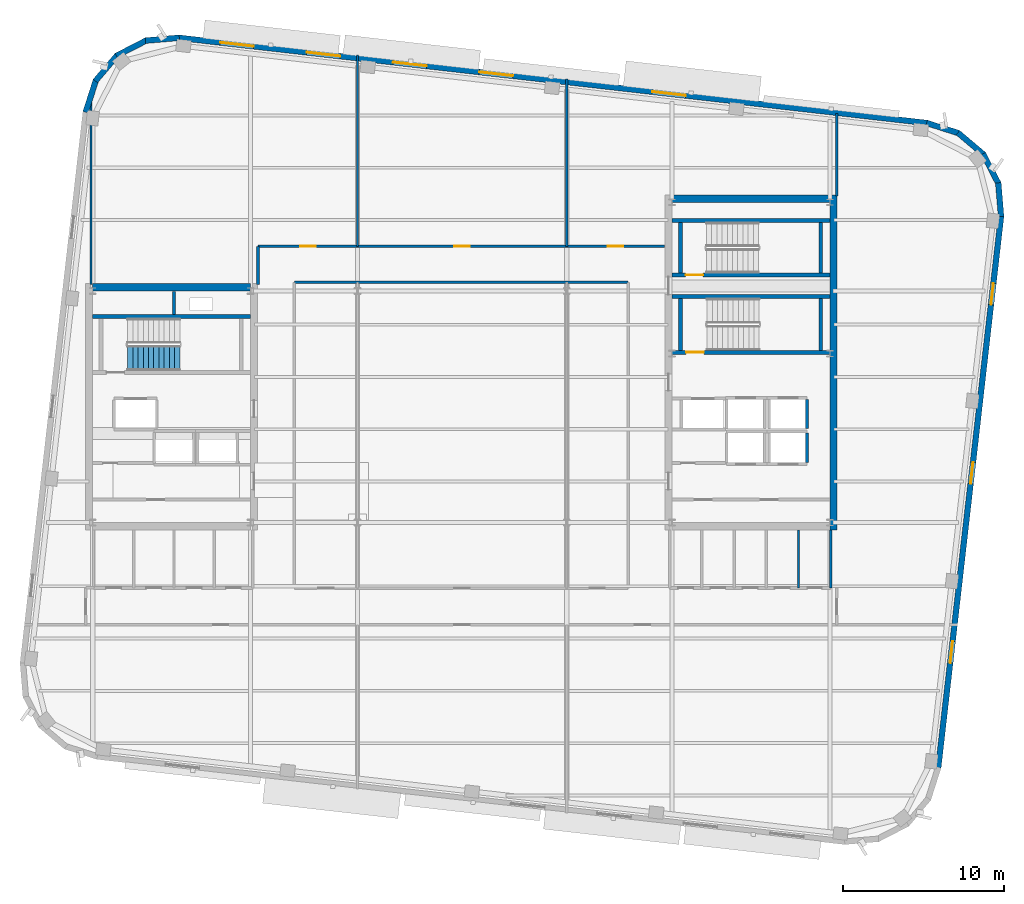
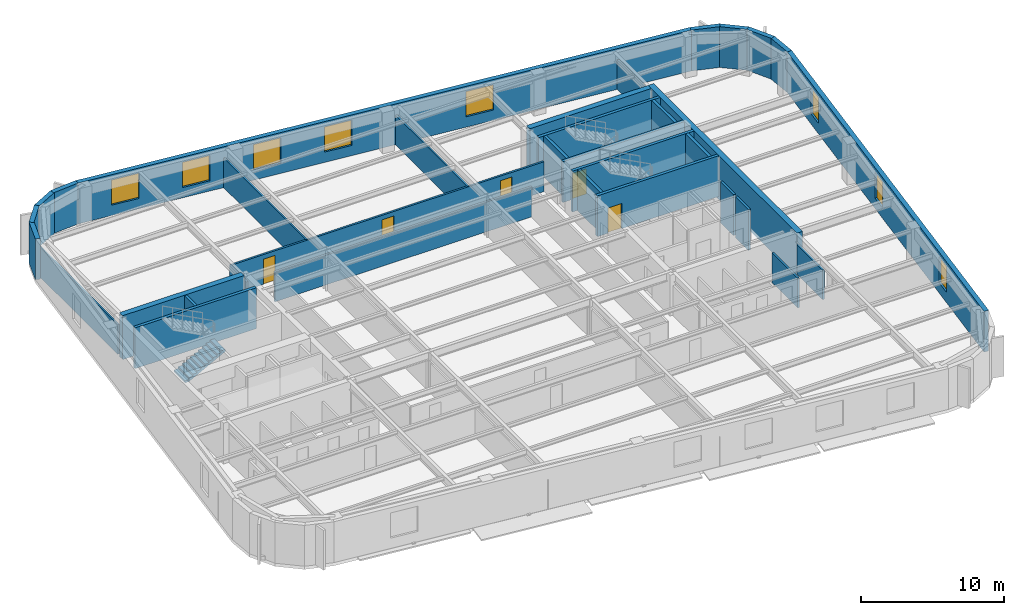
# One storey, part 8 of 14: 34 walls, 8 windows, 5 doors, 1 stair flight, 13 openings, 1 element without a shape of its own.
"""IFC4 building model written with IfcOpenShell, lengths in metres."""

import ifcopenshell
import ifcopenshell.guid

model = None  # the IFC model being written
_history = None  # IfcOwnerHistory: only IFC2X3 demands one
_inside = {}  # id of a spatial element -> (the spatial element, [elements in it])
_under = {}  # id of a project, library or spatial element -> (it, [spatial elements below it])
_declared = {}  # id of a project -> (the project, [libraries it declares])
_typed = {}  # id of a type object -> (the type object, [elements of that type])
_made_of = {}  # id of a material, layer set ... -> (it, [elements and type objects made of it])


def new_model(schema):
    """Start an empty IFC model of exactly this schema.

    Asked for "IFC4X3", IfcOpenShell would pick the latest addendum, in which some entities
    have other attributes; the version numbers below select the first issue.
    IFC2X3 requires an IfcOwnerHistory on every rooted entity: one is made here for all.
    """
    global model, _history
    if schema == "IFC4X3":
        model = ifcopenshell.file(schema_version=(4, 3, 0, 0))
    else:
        model = ifcopenshell.file(schema=schema)
    _inside.clear()
    _under.clear()
    _declared.clear()
    _typed.clear()
    _made_of.clear()
    _history = None
    if model.schema == "IFC2X3":
        org = make("IfcOrganization", Name="unknown")
        user = make(
            "IfcPersonAndOrganization",
            ThePerson=make("IfcPerson", FamilyName="unknown"),
            TheOrganization=org,
        )
        app = make(
            "IfcApplication",
            ApplicationDeveloper=org,
            Version="unknown",
            ApplicationFullName="unknown",
            ApplicationIdentifier="unknown",
        )
        _history = make(
            "IfcOwnerHistory",
            OwningUser=user,
            OwningApplication=app,
            ChangeAction="ADDED",
            CreationDate=0,
        )
    return model


def make(cls, **values):
    """One entity of the class cls with the attributes given. An attribute that is None is left unset."""
    return model.create_entity(
        cls, **{name: value for name, value in values.items() if value is not None}
    )


def rooted(cls, **values):
    """An entity with a GlobalId (a new one), such as an element, a storey or a relation."""
    return make(cls, GlobalId=ifcopenshell.guid.new(), OwnerHistory=_history, **values)


def si_unit(unit_type, name, prefix=None):
    """IfcSIUnit, for example si_unit("LENGTHUNIT", "METRE", prefix="MILLI")."""
    return make("IfcSIUnit", UnitType=unit_type, Prefix=prefix, Name=name)


def assignment(units):
    """IfcUnitAssignment: the units of a project."""
    return None if units is None else make("IfcUnitAssignment", Units=units)


def point(xyz):
    """IfcCartesianPoint."""
    return None if xyz is None else make("IfcCartesianPoint", Coordinates=xyz)


def direction(xyz):
    """IfcDirection."""
    return None if xyz is None else make("IfcDirection", DirectionRatios=xyz)


def frame(location, z_axis=None, x_axis=None):
    """IfcAxis2Placement3D, a coordinate frame: its origin and axes. An axis left out is left unset."""
    return make(
        "IfcAxis2Placement3D",
        Location=point(location),
        Axis=direction(z_axis),
        RefDirection=direction(x_axis),
    )


def frame_2d(location, x_axis=None):
    """IfcAxis2Placement2D, a coordinate frame in the plane: its origin and x axis."""
    return make(
        "IfcAxis2Placement2D", Location=point(location), RefDirection=direction(x_axis)
    )


def origin():
    """The frame at (0, 0, 0) with its axes left unset."""
    return frame((0.0, 0.0, 0.0))


def place(relative_to, where):
    """IfcLocalPlacement: puts the frame where relative to a parent placement (None: the world)."""
    return make(
        "IfcLocalPlacement", PlacementRelTo=relative_to, RelativePlacement=where
    )


def context(
    kind, dimensions, precision=None, world=None, true_north=None, identifier=None
):
    """IfcGeometricRepresentationContext, for example the 3D "Model" context."""
    return make(
        "IfcGeometricRepresentationContext",
        ContextIdentifier=identifier,
        ContextType=kind,
        CoordinateSpaceDimension=dimensions,
        Precision=precision,
        WorldCoordinateSystem=world,
        TrueNorth=true_north,
    )


def subcontext(parent, identifier, kind, view, scale=None):
    """IfcGeometricRepresentationSubContext, for example "Body" below "Model"."""
    return make(
        "IfcGeometricRepresentationSubContext",
        ContextIdentifier=identifier,
        ContextType=kind,
        ParentContext=parent,
        TargetScale=scale,
        TargetView=view,
    )


def project(units=None, contexts=None):
    """IfcProject with its units and contexts."""
    return rooted(
        "IfcProject",
        Name="project",
        RepresentationContexts=contexts,
        UnitsInContext=assignment(units),
    )


def spatial(cls, under=None, at=None, **own):
    """A site, building, storey or space (cls), placed at a placement, below another one or the project."""
    s = rooted(cls, ObjectPlacement=at, **own)
    if under is not None:
        _under.setdefault(under.id(), (under, []))[1].append(s)
    return s


def polyline(points):
    """IfcPolyline through the points."""
    return make("IfcPolyline", Points=[point(p) for p in points])


def profile(cls, at=None, kind="AREA", **sizes):
    """A parametric profile (cls). Its sizes go by their IFC names, for example OverallWidth=200.0."""
    return make(cls, ProfileType=kind, Position=at, **sizes)


def rectangle(**sizes):
    """IfcRectangleProfileDef."""
    return profile("IfcRectangleProfileDef", **sizes)


def outline(outer, holes=None, kind="AREA"):
    """IfcArbitraryClosedProfileDef: a profile drawn as a closed curve; with holes, ...WithVoids."""
    if holes is None:
        return make("IfcArbitraryClosedProfileDef", ProfileType=kind, OuterCurve=outer)
    return make(
        "IfcArbitraryProfileDefWithVoids",
        ProfileType=kind,
        OuterCurve=outer,
        InnerCurves=holes,
    )


def extrude(swept, where, along, depth):
    """IfcExtrudedAreaSolid: the profile swept, set in the frame where, extruded along a direction by depth."""
    return make(
        "IfcExtrudedAreaSolid",
        SweptArea=swept,
        Position=where,
        ExtrudedDirection=direction(along),
        Depth=depth,
    )


def shape(context_of_items, identifier, shape_type, items):
    """IfcShapeRepresentation: the items that make up one representation, for example the "Body"."""
    return make(
        "IfcShapeRepresentation",
        ContextOfItems=context_of_items,
        RepresentationIdentifier=identifier,
        RepresentationType=shape_type,
        Items=items,
    )


def material(Name=None, Category=None):
    """IfcMaterial."""
    return make("IfcMaterial", Name=Name, Category=Category)


def layer(
    of_material, thickness, ventilated=None, Name=None, Category=None, Priority=None
):
    """IfcMaterialLayer: one layer of a wall or slab, of a material (None: an air gap)."""
    return make(
        "IfcMaterialLayer",
        Material=of_material,
        LayerThickness=thickness,
        IsVentilated=ventilated,
        Name=Name,
        Category=Category,
        Priority=Priority,
    )


def layer_set(layers, Name=None):
    """IfcMaterialLayerSet."""
    return make("IfcMaterialLayerSet", MaterialLayers=layers, LayerSetName=Name)


def made_of(thing, what):
    """Note that an element or type object is made of a material, layer set ...; save() writes the relation."""
    if what is not None:
        _made_of.setdefault(what.id(), (what, []))[1].append(thing)
    return thing


def type_object(cls, material=None, **own):
    """A type object (cls), such as IfcWallType, which elements share."""
    return made_of(rooted(cls, **own), material)


def element(
    cls,
    number,
    at=None,
    inside=None,
    cuts=None,
    type_object=None,
    material=None,
    context=None,
    identifier="Body",
    shape_type=None,
    held_by="IfcProductDefinitionShape",
    body=None,
    shapes=None,
    **own,
):
    """One element of the class cls, such as IfcWall. Its Tag is "e" and its number.

    at: its placement. inside: the storey or other place that contains it. cuts: it is an
    opening in that element (IfcRelVoidsElement). A single representation is given by context,
    identifier, shape_type and body (its items); several are given by shapes. held_by: the class
    of the entity that holds the representations. save() writes the other relations.
    """
    e = rooted(cls, Tag="e%d" % number, ObjectPlacement=at, **own)
    if body is not None:
        shapes = [shape(context, identifier, shape_type, body)]
    if shapes is not None:
        e.Representation = make(held_by, Representations=shapes)
    if inside is not None:
        _inside.setdefault(inside.id(), (inside, []))[1].append(e)
    if cuts is not None:
        rooted(
            "IfcRelVoidsElement", RelatingBuildingElement=cuts, RelatedOpeningElement=e
        )
    if type_object is not None:
        _typed.setdefault(type_object.id(), (type_object, []))[1].append(e)
    return made_of(e, material)


def fill(opening, filler):
    """IfcRelFillsElement: the door or window that sits in an opening."""
    return rooted(
        "IfcRelFillsElement",
        RelatingOpeningElement=opening,
        RelatedBuildingElement=filler,
    )


def aggregate(whole, parts):
    """IfcRelAggregates: a whole, such as a stair, and the parts it consists of."""
    return rooted("IfcRelAggregates", RelatingObject=whole, RelatedObjects=parts)


def save(model, path):
    """Write the relations noted so far, then the file.

    IfcRelAggregates (storeys below a building ...), IfcRelContainedInSpatialStructure (elements
    in a storey), IfcRelDefinesByType, IfcRelAssociatesMaterial and IfcRelDeclares: one each for
    every whole, place, type object, material and project.
    """
    for whole, parts in _under.values():
        aggregate(whole, parts)
    for where, things in _inside.values():
        rooted(
            "IfcRelContainedInSpatialStructure",
            RelatedElements=things,
            RelatingStructure=where,
        )
    for kind, things in _typed.values():
        rooted("IfcRelDefinesByType", RelatedObjects=things, RelatingType=kind)
    for what, things in _made_of.values():
        rooted("IfcRelAssociatesMaterial", RelatedObjects=things, RelatingMaterial=what)
    for by, libraries in _declared.values():
        rooted("IfcRelDeclares", RelatingContext=by, RelatedDefinitions=libraries)
    model.write(path)


model = new_model("IFC4")

# Units and contexts
model_context = context("Model", 3, precision=1e-05, world=origin(), true_north=direction((0.0, 1.0)))
body_context = subcontext(model_context, "Body", "Model", "MODEL_VIEW")
ifc_project = project(units=[si_unit("LENGTHUNIT", "METRE"), si_unit("AREAUNIT", "SQUARE_METRE"), si_unit("VOLUMEUNIT", "CUBIC_METRE"), si_unit("PLANEANGLEUNIT", "RADIAN"), si_unit("MASSUNIT", "GRAM", prefix="KILO")], contexts=[model_context])

# Site, building, storey
site_placement = place(None, origin())
site = spatial("IfcSite", under=ifc_project, at=site_placement, CompositionType="ELEMENT")
building_placement = place(site_placement, origin())
building = spatial("IfcBuilding", under=site, at=building_placement, Name="Kolvaren Arena Tower", CompositionType="ELEMENT")
storey_placement = place(building_placement, frame((0.0, 0.0, 235.949951171875)))
storey = spatial("IfcBuildingStorey", under=building, at=storey_placement, Name="L57", CompositionType="ELEMENT", Elevation=235.949951171875)

# Wall
ifc_material_1 = material(Name="Gypsum board acoustic assembly", Category="gypsum")
ifc_layer_1 = layer(ifc_material_1, 0.159912109375)
ifc_layer_set_1 = layer_set([ifc_layer_1], Name="Gypsum board acoustic assembly")
wall_type_1 = type_object("IfcWallType", Name="CORR-160", PredefinedType="PARTITIONING", material=ifc_layer_set_1)
wall_1_placement = place(storey_placement, frame((24.820068359375, 34.25, 0.0), z_axis=(0.0, 0.0, 1.0), x_axis=(0.0, 1.0, 0.0)))
element("IfcWall", 1, at=wall_1_placement, inside=storey, type_object=wall_type_1, Name="Interior Partition Wall (L57)", PredefinedType="PARTITIONING", context=body_context, shape_type="SweptSolid", body=[
    extrude(rectangle(XDim=2.3701171875, YDim=0.159912109375, at=frame_2d((1.18505859375, 0.0))), origin(), (0.0, 0.0, 1.0), 2.5400390625),
])

# Wall, openings, doors
wall_2_placement = place(storey_placement, frame((24.820068359375, 36.6201171875, 0.0), z_axis=(0.0, 0.0, 1.0), x_axis=(1.0, 0.0, 0.0)))
wall_2 = element("IfcWall", 2, at=wall_2_placement, inside=storey, type_object=wall_type_1, Name="Interior Partition Wall (L57)", PredefinedType="PARTITIONING", context=body_context, shape_type="SweptSolid", body=[
    extrude(rectangle(XDim=25.260009765625, YDim=0.159912109375, at=frame_2d((12.6298828125, 0.0))), origin(), (0.0, 0.0, 1.0), 2.5400390625),
])
opening_1_placement = place(wall_2_placement, frame((2.6298828125, 0.0, 0.0)))
opening_1 = element("IfcOpeningElement", 3, at=opening_1_placement, cuts=wall_2, Name="Opening D05", PredefinedType="OPENING", context=body_context, shape_type="SweptSolid", body=[
    extrude(rectangle(XDim=0.949951171875, YDim=2.14990234375, at=frame_2d((0.47509765625, 1.074951171875))), frame((0.0, 0.08984375, 0.0), z_axis=(0.0, -1.0, 0.0), x_axis=(1.0, 0.0, 0.0)), (0.0, 0.0, 1.0), 0.179931640625),
])
opening_2_placement = place(wall_2_placement, frame((12.205078125, 0.0, 0.0)))
opening_2 = element("IfcOpeningElement", 4, at=opening_2_placement, cuts=wall_2, Name="Opening D05", PredefinedType="OPENING", context=body_context, shape_type="SweptSolid", body=[
    extrude(rectangle(XDim=0.949951171875, YDim=2.14990234375, at=frame_2d((0.47509765625, 1.074951171875))), frame((0.0, 0.08984375, 0.0), z_axis=(0.0, -1.0, 0.0), x_axis=(1.0, 0.0, 0.0)), (0.0, 0.0, 1.0), 0.179931640625),
])
opening_3_placement = place(wall_2_placement, frame((21.72998046875, 0.0, 0.0)))
opening_3 = element("IfcOpeningElement", 5, at=opening_3_placement, cuts=wall_2, Name="Opening D05", PredefinedType="OPENING", context=body_context, shape_type="SweptSolid", body=[
    extrude(rectangle(XDim=0.949951171875, YDim=2.14990234375, at=frame_2d((0.47509765625, 1.074951171875))), frame((0.0, 0.08984375, 0.0), z_axis=(0.0, -1.0, 0.0), x_axis=(1.0, 0.0, 0.0)), (0.0, 0.0, 1.0), 0.179931640625),
])
ifc_material_2 = material(Name="Solid-core oak acoustic office door", Category="wood")
door_type_1 = type_object("IfcDoorType", Name="DOOR-OF-095", OperationType="NOTDEFINED", PredefinedType="DOOR", material=ifc_material_2)
door_1_placement = place(opening_1_placement, origin())
door_1 = element("IfcDoor", 6, at=door_1_placement, inside=storey, type_object=door_type_1, Name="Breakout Pantry and Kitchen Door (L57)", OperationType="SINGLE_SWING_RIGHT", OverallHeight=2.14990234375, OverallWidth=0.949951171875, PredefinedType="DOOR", context=body_context, shape_type="SweptSolid", body=[
    extrude(rectangle(XDim=0.949951171875, YDim=2.14990234375, at=frame_2d((0.47509765625, 1.074951171875))), frame((0.0, 0.02490234375, 0.0), z_axis=(0.0, -1.0, 0.0), x_axis=(1.0, 0.0, 0.0)), (0.0, 0.0, 1.0), 0.050048828125),
])
fill(opening_1, door_1)
door_2_placement = place(opening_2_placement, origin())
door_2 = element("IfcDoor", 7, at=door_2_placement, inside=storey, type_object=door_type_1, Name="Corporate Project Office Door (L57)", OperationType="SINGLE_SWING_LEFT", OverallHeight=2.14990234375, OverallWidth=0.949951171875, PredefinedType="DOOR", context=body_context, shape_type="SweptSolid", body=[
    extrude(rectangle(XDim=0.949951171875, YDim=2.14990234375, at=frame_2d((0.47509765625, 1.074951171875))), frame((0.0, 0.02490234375, 0.0), z_axis=(0.0, -1.0, 0.0), x_axis=(1.0, 0.0, 0.0)), (0.0, 0.0, 1.0), 0.050048828125),
])
fill(opening_2, door_2)
door_3_placement = place(opening_3_placement, origin())
door_3 = element("IfcDoor", 8, at=door_3_placement, inside=storey, type_object=door_type_1, Name="Executive Office Door (L57)", OperationType="SINGLE_SWING_RIGHT", OverallHeight=2.14990234375, OverallWidth=0.949951171875, PredefinedType="DOOR", context=body_context, shape_type="SweptSolid", body=[
    extrude(rectangle(XDim=0.949951171875, YDim=2.14990234375, at=frame_2d((0.47509765625, 1.074951171875))), frame((0.0, 0.02490234375, 0.0), z_axis=(0.0, -1.0, 0.0), x_axis=(1.0, 0.0, 0.0)), (0.0, 0.0, 1.0), 0.050048828125),
])
fill(opening_3, door_3)

# Walls
wall_3_placement = place(storey_placement, frame((27.080078125, 34.3798828125, 0.0), z_axis=(0.0, 0.0, 1.0), x_axis=(1.0, 0.0, 0.0)))
element("IfcWall", 9, at=wall_3_placement, inside=storey, type_object=wall_type_1, Name="Interior Partition Wall (L57)", PredefinedType="PARTITIONING", context=body_context, shape_type="SweptSolid", body=[
    extrude(rectangle(XDim=20.739990234375, YDim=0.159912109375, at=frame_2d((10.3701171875, 0.0))), origin(), (0.0, 0.0, 1.0), 2.5400390625),
])
ifc_material_3 = material(Name="Concrete 55 MPa", Category="concrete")
ifc_layer_2 = layer(ifc_material_3, 0.449951171875)
ifc_layer_set_2 = layer_set([ifc_layer_2], Name="Concrete 55 MPa")
wall_type_2 = type_object("IfcWallType", Name="CWALL-450", PredefinedType="SHEAR", material=ifc_layer_set_2)
wall_4_placement = place(storey_placement, frame((14.550048828125, 34.074951171875, -0.27001953125), z_axis=(0.0, 0.0, 1.0), x_axis=(1.0, 0.0, 0.0)))
element("IfcWall", 10, at=wall_4_placement, inside=storey, type_object=wall_type_2, Name="Core Shear Wall WC-NORTH (L57)", PredefinedType="SHEAR", context=body_context, shape_type="SweptSolid", body=[
    extrude(rectangle(XDim=9.800048828125, YDim=0.449951171875, at=frame_2d((4.89990234375, 0.0))), origin(), (0.0, 0.0, 1.0), 3.75),
])
wall_5_placement = place(storey_placement, frame((60.574951171875, 19.0, -0.27001953125), z_axis=(0.0, 0.0, 1.0), x_axis=(0.0, 1.0, 0.0)))
element("IfcWall", 11, at=wall_5_placement, inside=storey, type_object=wall_type_2, Name="Core Shear Wall EC-EAST (L57)", PredefinedType="SHEAR", context=body_context, shape_type="SweptSolid", body=[
    extrude(rectangle(XDim=20.800048828125, YDim=0.449951171875, at=frame_2d((10.39990234375, 0.0))), origin(), (0.0, 0.0, 1.0), 3.75),
])
wall_6_placement = place(storey_placement, frame((50.550048828125, 39.574951171875, -0.27001953125), z_axis=(0.0, 0.0, 1.0), x_axis=(1.0, 0.0, 0.0)))
element("IfcWall", 12, at=wall_6_placement, inside=storey, type_object=wall_type_2, Name="Core Shear Wall EC-NORTH (L57)", PredefinedType="SHEAR", context=body_context, shape_type="SweptSolid", body=[
    extrude(rectangle(XDim=9.800048828125, YDim=0.449951171875, at=frame_2d((4.89990234375, 0.0))), origin(), (0.0, 0.0, 1.0), 3.75),
])

# Wall, openings, windows
ifc_material_4 = material(Name="Precast concrete C50/60", Category="concrete")
ifc_layer_3 = layer(ifc_material_4, 0.360107421875)
ifc_layer_set_3 = layer_set([ifc_layer_3], Name="Precast concrete C50/60")
wall_type_3 = type_object("IfcWallType", Name="EXT-PIER2", PredefinedType="SOLIDWALL", material=ifc_layer_set_3)
wall_7_placement = place(storey_placement, frame((70.98876953125, 38.499267578125, 0.0), z_axis=(0.0, 0.0, 1.0), x_axis=(-0.113203107947, -0.993571867733, 0.0)))
wall_7 = element("IfcWall", 13, at=wall_7_placement, inside=storey, type_object=wall_type_3, Name="Exterior Precast Masonry-Frame Wall (L57)", PredefinedType="SOLIDWALL", context=body_context, shape_type="SweptSolid", body=[
    extrude(rectangle(XDim=34.5, YDim=0.360107421875, at=frame_2d((17.25, 0.0))), origin(), (0.0, 0.0, 1.0), 3.47998046875),
])
opening_4_placement = place(wall_7_placement, frame((4.199951171875, 0.0, 0.8798828125)))
opening_4 = element("IfcOpeningElement", 14, at=opening_4_placement, cuts=wall_7, Name="Opening W04", PredefinedType="OPENING", context=body_context, shape_type="SweptSolid", body=[
    extrude(rectangle(XDim=1.35009765625, YDim=2.199951171875, at=frame_2d((0.675048828125, 1.10009765625))), frame((0.0, 0.18994140625, 0.0), z_axis=(0.0, -1.0, 0.0), x_axis=(1.0, 0.0, 0.0)), (0.0, 0.0, 1.0), 0.380126953125),
])
opening_5_placement = place(wall_7_placement, frame((15.39990234375, 0.0, 0.8798828125)))
opening_5 = element("IfcOpeningElement", 15, at=opening_5_placement, cuts=wall_7, Name="Opening W04", PredefinedType="OPENING", context=body_context, shape_type="SweptSolid", body=[
    extrude(rectangle(XDim=1.35009765625, YDim=2.199951171875, at=frame_2d((0.675048828125, 1.10009765625))), frame((0.0, 0.18994140625, 0.0), z_axis=(0.0, -1.0, 0.0), x_axis=(1.0, 0.0, 0.0)), (0.0, 0.0, 1.0), 0.380126953125),
])
opening_6_placement = place(wall_7_placement, frame((26.60009765625, 0.0, 0.8798828125)))
opening_6 = element("IfcOpeningElement", 16, at=opening_6_placement, cuts=wall_7, Name="Opening W04", PredefinedType="OPENING", context=body_context, shape_type="SweptSolid", body=[
    extrude(rectangle(XDim=1.35009765625, YDim=2.199951171875, at=frame_2d((0.675048828125, 1.10009765625))), frame((0.0, 0.18994140625, 0.0), z_axis=(0.0, -1.0, 0.0), x_axis=(1.0, 0.0, 0.0)), (0.0, 0.0, 1.0), 0.380126953125),
])
ifc_material_5 = material(Name="Triple-glazed curved-facet corner window", Category="glass")
window_type_1 = type_object("IfcWindowType", Name="WIN-CRN-A", PartitioningType="SINGLE_PANEL", PredefinedType="WINDOW", material=ifc_material_5)
window_1_placement = place(opening_4_placement, origin())
window_1 = element("IfcWindow", 17, at=window_1_placement, inside=storey, type_object=window_type_1, Name="End-Wall Punched Window (L57)", OverallHeight=2.199951171875, OverallWidth=1.35009765625, PartitioningType="SINGLE_PANEL", PredefinedType="WINDOW", context=body_context, shape_type="SweptSolid", body=[
    extrude(rectangle(XDim=1.35009765625, YDim=2.199951171875, at=frame_2d((0.675048828125, 1.10009765625))), frame((0.0, 0.030029296875, 0.0), z_axis=(0.0, -1.0, 0.0), x_axis=(1.0, 0.0, 0.0)), (0.0, 0.0, 1.0), 0.06005859375),
])
fill(opening_4, window_1)
window_2_placement = place(opening_5_placement, origin())
window_2 = element("IfcWindow", 18, at=window_2_placement, inside=storey, type_object=window_type_1, Name="End-Wall Punched Window (L57)", OverallHeight=2.199951171875, OverallWidth=1.35009765625, PartitioningType="SINGLE_PANEL", PredefinedType="WINDOW", context=body_context, shape_type="SweptSolid", body=[
    extrude(rectangle(XDim=1.35009765625, YDim=2.199951171875, at=frame_2d((0.675048828125, 1.10009765625))), frame((0.0, 0.030029296875, 0.0), z_axis=(0.0, -1.0, 0.0), x_axis=(1.0, 0.0, 0.0)), (0.0, 0.0, 1.0), 0.06005859375),
])
fill(opening_5, window_2)
window_3_placement = place(opening_6_placement, origin())
window_3 = element("IfcWindow", 19, at=window_3_placement, inside=storey, type_object=window_type_1, Name="End-Wall Punched Window (L57)", OverallHeight=2.199951171875, OverallWidth=1.35009765625, PartitioningType="SINGLE_PANEL", PredefinedType="WINDOW", context=body_context, shape_type="SweptSolid", body=[
    extrude(rectangle(XDim=1.35009765625, YDim=2.199951171875, at=frame_2d((0.675048828125, 1.10009765625))), frame((0.0, 0.030029296875, 0.0), z_axis=(0.0, -1.0, 0.0), x_axis=(1.0, 0.0, 0.0)), (0.0, 0.0, 1.0), 0.06005859375),
])
fill(opening_6, window_3)

# Walls
wall_8_placement = place(storey_placement, frame((70.813720703125, 40.563720703125, 0.0), z_axis=(0.0, 0.0, 1.0), x_axis=(0.082853678144, -0.996561723135, 0.0)))
element("IfcWall", 20, at=wall_8_placement, inside=storey, type_object=wall_type_3, Name="Exterior Precast Masonry-Frame Wall (L57)", PredefinedType="SOLIDWALL", context=body_context, shape_type="SweptSolid", body=[
    extrude(rectangle(XDim=2.10693359375, YDim=0.360107421875, at=frame_2d((1.053466796875, 0.0))), origin(), (0.0, 0.0, 1.0), 3.47998046875),
])
for number, where, z_axis, x_axis, name in (
    (21, (69.868408203125, 42.369384765625, 0.0), (0.0, 0.0, 1.0), (0.457887222333, -0.889010287693, 0.0), "Exterior Precast Masonry-Frame Wall (L57)"),
    (22, (68.303955078125, 43.67578125, 0.0), (0.0, 0.0, 1.0), (0.763192878975, -0.646170743289, 0.0), "Exterior Precast Masonry-Frame Wall (L57)"),
    (23, (66.358642578125, 44.283935546875, 0.0), (0.0, 0.0, 1.0), (0.952403965565, -0.304838787518, 0.0), "Exterior Precast Masonry-Frame Wall (L57)"),
):
    element("IfcWall", number, at=place(storey_placement, frame(where, z_axis=z_axis, x_axis=x_axis)), inside=storey, type_object=wall_type_3, Name=name, PredefinedType="SOLIDWALL", context=body_context, shape_type="SweptSolid", body=[
        extrude(rectangle(XDim=2.107177734375, YDim=0.360107421875, at=frame_2d((1.0537109375, 0.0))), origin(), (0.0, 0.0, 1.0), 3.47998046875),
    ])

# Wall, openings, windows
wall_9_placement = place(storey_placement, frame((19.89404296875, 49.57470703125, 0.0), z_axis=(0.0, 0.0, 1.0), x_axis=(0.993571439016, -0.113206870688, 0.0)))
wall_9 = element("IfcWall", 24, at=wall_9_placement, inside=storey, type_object=wall_type_3, Name="Exterior Precast Masonry-Frame Wall (L57)", PredefinedType="SOLIDWALL", context=body_context, shape_type="SweptSolid", body=[
    extrude(rectangle(XDim=46.800048828125, YDim=0.360107421875, at=frame_2d((23.39990234375, 0.0))), origin(), (0.0, 0.0, 1.0), 3.47998046875),
])
opening_7_placement = place(wall_9_placement, frame((2.60009765625, 0.0, 0.8798828125)))
opening_7 = element("IfcOpeningElement", 25, at=opening_7_placement, cuts=wall_9, Name="Opening W01", PredefinedType="OPENING", context=body_context, shape_type="SweptSolid", body=[
    extrude(rectangle(XDim=2.10009765625, YDim=2.14990234375, at=frame_2d((1.050048828125, 1.074951171875))), frame((0.0, 0.18994140625, 0.0), z_axis=(0.0, -1.0, 0.0), x_axis=(1.0, 0.0, 0.0)), (0.0, 0.0, 1.0), 0.380126953125),
])
opening_8_placement = place(wall_9_placement, frame((8.0, 0.0, 0.8798828125)))
opening_8 = element("IfcOpeningElement", 26, at=opening_8_placement, cuts=wall_9, Name="Opening W01", PredefinedType="OPENING", context=body_context, shape_type="SweptSolid", body=[
    extrude(rectangle(XDim=2.10009765625, YDim=2.14990234375, at=frame_2d((1.050048828125, 1.074951171875))), frame((0.0, 0.18994140625, 0.0), z_axis=(0.0, -1.0, 0.0), x_axis=(1.0, 0.0, 0.0)), (0.0, 0.0, 1.0), 0.380126953125),
])
opening_9_placement = place(wall_9_placement, frame((13.39990234375, 0.0, 0.8798828125)))
opening_9 = element("IfcOpeningElement", 27, at=opening_9_placement, cuts=wall_9, Name="Opening W01", PredefinedType="OPENING", context=body_context, shape_type="SweptSolid", body=[
    extrude(rectangle(XDim=2.10009765625, YDim=2.14990234375, at=frame_2d((1.050048828125, 1.074951171875))), frame((0.0, 0.18994140625, 0.0), z_axis=(0.0, -1.0, 0.0), x_axis=(1.0, 0.0, 0.0)), (0.0, 0.0, 1.0), 0.380126953125),
])
opening_10_placement = place(wall_9_placement, frame((18.800048828125, 0.0, 0.8798828125)))
opening_10 = element("IfcOpeningElement", 28, at=opening_10_placement, cuts=wall_9, Name="Opening W01", PredefinedType="OPENING", context=body_context, shape_type="SweptSolid", body=[
    extrude(rectangle(XDim=2.10009765625, YDim=2.14990234375, at=frame_2d((1.050048828125, 1.074951171875))), frame((0.0, 0.18994140625, 0.0), z_axis=(0.0, -1.0, 0.0), x_axis=(1.0, 0.0, 0.0)), (0.0, 0.0, 1.0), 0.380126953125),
])
opening_11_placement = place(wall_9_placement, frame((29.60009765625, 0.0, 0.8798828125)))
opening_11 = element("IfcOpeningElement", 29, at=opening_11_placement, cuts=wall_9, Name="Opening W01", PredefinedType="OPENING", context=body_context, shape_type="SweptSolid", body=[
    extrude(rectangle(XDim=2.10009765625, YDim=2.14990234375, at=frame_2d((1.050048828125, 1.074951171875))), frame((0.0, 0.18994140625, 0.0), z_axis=(0.0, -1.0, 0.0), x_axis=(1.0, 0.0, 0.0)), (0.0, 0.0, 1.0), 0.380126953125),
])
ifc_material_6 = material(Name="Triple-glazed low-E aluminium window", Category="aluminium")
window_type_2 = type_object("IfcWindowType", Name="WIN-OFF-A", PartitioningType="DOUBLE_PANEL_VERTICAL", PredefinedType="WINDOW", material=ifc_material_6)
window_4_placement = place(opening_7_placement, origin())
window_4 = element("IfcWindow", 30, at=window_4_placement, inside=storey, type_object=window_type_2, Name="Punched Precast-Pier Window (L57)", OverallHeight=2.14990234375, OverallWidth=2.10009765625, PartitioningType="DOUBLE_PANEL_VERTICAL", PredefinedType="WINDOW", context=body_context, shape_type="SweptSolid", body=[
    extrude(rectangle(XDim=2.10009765625, YDim=2.14990234375, at=frame_2d((1.050048828125, 1.074951171875))), frame((0.0, 0.030029296875, 0.0), z_axis=(0.0, -1.0, 0.0), x_axis=(1.0, 0.0, 0.0)), (0.0, 0.0, 1.0), 0.06005859375),
])
fill(opening_7, window_4)
window_5_placement = place(opening_8_placement, origin())
window_5 = element("IfcWindow", 31, at=window_5_placement, inside=storey, type_object=window_type_2, Name="Punched Precast-Pier Window (L57)", OverallHeight=2.14990234375, OverallWidth=2.10009765625, PartitioningType="DOUBLE_PANEL_VERTICAL", PredefinedType="WINDOW", context=body_context, shape_type="SweptSolid", body=[
    extrude(rectangle(XDim=2.10009765625, YDim=2.14990234375, at=frame_2d((1.050048828125, 1.074951171875))), frame((0.0, 0.030029296875, 0.0), z_axis=(0.0, -1.0, 0.0), x_axis=(1.0, 0.0, 0.0)), (0.0, 0.0, 1.0), 0.06005859375),
])
fill(opening_8, window_5)
window_6_placement = place(opening_9_placement, origin())
window_6 = element("IfcWindow", 32, at=window_6_placement, inside=storey, type_object=window_type_2, Name="Punched Precast-Pier Window (L57)", OverallHeight=2.14990234375, OverallWidth=2.10009765625, PartitioningType="DOUBLE_PANEL_VERTICAL", PredefinedType="WINDOW", context=body_context, shape_type="SweptSolid", body=[
    extrude(rectangle(XDim=2.10009765625, YDim=2.14990234375, at=frame_2d((1.050048828125, 1.074951171875))), frame((0.0, 0.030029296875, 0.0), z_axis=(0.0, -1.0, 0.0), x_axis=(1.0, 0.0, 0.0)), (0.0, 0.0, 1.0), 0.06005859375),
])
fill(opening_9, window_6)
window_7_placement = place(opening_10_placement, origin())
window_7 = element("IfcWindow", 33, at=window_7_placement, inside=storey, type_object=window_type_2, Name="Punched Precast-Pier Window (L57)", OverallHeight=2.14990234375, OverallWidth=2.10009765625, PartitioningType="DOUBLE_PANEL_VERTICAL", PredefinedType="WINDOW", context=body_context, shape_type="SweptSolid", body=[
    extrude(rectangle(XDim=2.10009765625, YDim=2.14990234375, at=frame_2d((1.050048828125, 1.074951171875))), frame((0.0, 0.030029296875, 0.0), z_axis=(0.0, -1.0, 0.0), x_axis=(1.0, 0.0, 0.0)), (0.0, 0.0, 1.0), 0.06005859375),
])
fill(opening_10, window_7)
window_8_placement = place(opening_11_placement, origin())
window_8 = element("IfcWindow", 34, at=window_8_placement, inside=storey, type_object=window_type_2, Name="Punched Precast-Pier Window (L57)", OverallHeight=2.14990234375, OverallWidth=2.10009765625, PartitioningType="DOUBLE_PANEL_VERTICAL", PredefinedType="WINDOW", context=body_context, shape_type="SweptSolid", body=[
    extrude(rectangle(XDim=2.10009765625, YDim=2.14990234375, at=frame_2d((1.050048828125, 1.074951171875))), frame((0.0, 0.030029296875, 0.0), z_axis=(0.0, -1.0, 0.0), x_axis=(1.0, 0.0, 0.0)), (0.0, 0.0, 1.0), 0.06005859375),
])
fill(opening_11, window_8)

# Walls
for number, where, z_axis, x_axis, name in (
    (35, (17.82958984375, 49.3994140625, 0.0), (0.0, 0.0, 1.0), (0.996562518477, 0.082844111233, 0.0), "Exterior Precast Masonry-Frame Wall (L57)"),
    (36, (16.02392578125, 48.4541015625, 0.0), (0.0, 0.0, 1.0), (0.889010287693, 0.457887222333, 0.0), "Exterior Precast Masonry-Frame Wall (L57)"),
    (37, (14.717529296875, 46.8896484375, 0.0), (0.0, 0.0, 1.0), (0.646170743289, 0.763192878975, 0.0), "Exterior Precast Masonry-Frame Wall (L57)"),
):
    element("IfcWall", number, at=place(storey_placement, frame(where, z_axis=z_axis, x_axis=x_axis)), inside=storey, type_object=wall_type_3, Name=name, PredefinedType="SOLIDWALL", context=body_context, shape_type="SweptSolid", body=[
        extrude(rectangle(XDim=2.107177734375, YDim=0.360107421875, at=frame_2d((1.0537109375, 0.0))), origin(), (0.0, 0.0, 1.0), 3.47998046875),
    ])
wall_10_placement = place(storey_placement, frame((14.109375, 44.944580078125, 0.0), z_axis=(0.0, 0.0, 1.0), x_axis=(0.304872429864, 0.952393196904, 0.0)))
element("IfcWall", 38, at=wall_10_placement, inside=storey, type_object=wall_type_3, Name="Exterior Precast Masonry-Frame Wall (L57)", PredefinedType="SOLIDWALL", context=body_context, shape_type="SweptSolid", body=[
    extrude(rectangle(XDim=2.10693359375, YDim=0.360107421875, at=frame_2d((1.053466796875, 0.0))), origin(), (0.0, 0.0, 1.0), 3.47998046875),
])
ifc_material_7 = material(Name="Gypsum board partition assembly", Category="gypsum")
ifc_layer_4 = layer(ifc_material_7, 0.135009765625)
ifc_layer_set_4 = layer_set([ifc_layer_4], Name="Gypsum board partition assembly")
wall_type_4 = type_object("IfcWallType", Name="PART-135", PredefinedType="PARTITIONING", material=ifc_layer_set_4)
wall_11_placement = place(storey_placement, frame((31.0, 36.6201171875, 0.0), z_axis=(0.0, 0.0, 1.0), x_axis=(0.0, 1.0, 0.0)))
element("IfcWall", 39, at=wall_11_placement, inside=storey, type_object=wall_type_4, Name="Interior Partition Wall (L57)", PredefinedType="PARTITIONING", context=body_context, shape_type="SweptSolid", body=[
    extrude(rectangle(XDim=11.8701171875, YDim=0.135009765625, at=frame_2d((5.93505859375, 0.0))), origin(), (0.0, 0.0, 1.0), 2.5400390625),
])
wall_12_placement = place(storey_placement, frame((44.0, 36.6201171875, 0.0), z_axis=(0.0, 0.0, 1.0), x_axis=(0.0, 1.0, 0.0)))
element("IfcWall", 40, at=wall_12_placement, inside=storey, type_object=wall_type_4, Name="Interior Partition Wall (L57)", PredefinedType="PARTITIONING", context=body_context, shape_type="SweptSolid", body=[
    extrude(rectangle(XDim=10.38916015625, YDim=0.135009765625, at=frame_2d((5.194580078125, 0.0))), origin(), (0.0, 0.0, 1.0), 2.5400390625),
])
wall_13_placement = place(storey_placement, frame((14.449951171875, 34.25, 0.0), z_axis=(0.0, 0.0, 1.0), x_axis=(0.0, 1.0, 0.0)))
element("IfcWall", 41, at=wall_13_placement, inside=storey, type_object=wall_type_4, Name="Interior Partition Wall (L57)", PredefinedType="PARTITIONING", context=body_context, shape_type="SweptSolid", body=[
    extrude(rectangle(XDim=11.56201171875, YDim=0.135009765625, at=frame_2d((5.781005859375, 0.0))), origin(), (0.0, 0.0, 1.0), 2.5400390625),
])
wall_14_placement = place(storey_placement, frame((60.780029296875, 39.75, 0.0), z_axis=(0.0, 0.0, 1.0), x_axis=(0.0, 1.0, 0.0)))
element("IfcWall", 42, at=wall_14_placement, inside=storey, type_object=wall_type_4, Name="Interior Partition Wall (L57)", PredefinedType="PARTITIONING", context=body_context, shape_type="SweptSolid", body=[
    extrude(rectangle(XDim=5.105712890625, YDim=0.135009765625, at=frame_2d((2.552734375, 0.0))), origin(), (0.0, 0.0, 1.0), 2.5400390625),
])
ifc_material_8 = material(Name="Concrete 45 MPa", Category="concrete")
ifc_layer_5 = layer(ifc_material_8, 0.25)
ifc_layer_set_5 = layer_set([ifc_layer_5], Name="Concrete 45 MPa")
wall_type_5 = type_object("IfcWallType", Name="SHAFT-250", PredefinedType="SOLIDWALL", material=ifc_layer_set_5)
wall_15_placement = place(storey_placement, frame((14.550048828125, 32.25, 0.0), z_axis=(0.0, 0.0, 1.0), x_axis=(1.0, 0.0, 0.0)))
element("IfcWall", 43, at=wall_15_placement, inside=storey, type_object=wall_type_5, Name="Core Shaft Wall (L57)", PredefinedType="SOLIDWALL", context=body_context, shape_type="SweptSolid", body=[
    extrude(rectangle(XDim=9.800048828125, YDim=0.239990234375, at=frame_2d((4.89990234375, 0.0))), origin(), (0.0, 0.0, 1.0), 3.47998046875),
])

# Wall, opening, door
wall_16_placement = place(storey_placement, frame((60.35009765625, 30.030029296875, 0.0), z_axis=(0.0, 0.0, 1.0), x_axis=(-1.0, 0.0, 0.0)))
wall_16 = element("IfcWall", 44, at=wall_16_placement, inside=storey, type_object=wall_type_5, Name="Core Shaft Wall (L57)", PredefinedType="SOLIDWALL", context=body_context, shape_type="SweptSolid", body=[
    extrude(rectangle(XDim=9.800048828125, YDim=0.239990234375, at=frame_2d((4.89990234375, 0.0))), origin(), (0.0, 0.0, 1.0), 3.47998046875),
])
opening_12_placement = place(wall_16_placement, frame((7.830078125, 0.0, 0.0)))
opening_12 = element("IfcOpeningElement", 45, at=opening_12_placement, cuts=wall_16, Name="Opening D03", PredefinedType="OPENING", context=body_context, shape_type="SweptSolid", body=[
    extrude(rectangle(XDim=1.10009765625, YDim=2.14990234375, at=frame_2d((0.550048828125, 1.074951171875))), frame((0.0, 0.1298828125, 0.0), z_axis=(0.0, -1.0, 0.0), x_axis=(1.0, 0.0, 0.0)), (0.0, 0.0, 1.0), 0.260009765625),
])
ifc_material_9 = material(Name="Fire-rated steel exit stair door", Category="steel")
door_type_2 = type_object("IfcDoorType", Name="DOOR-ST-110", OperationType="NOTDEFINED", PredefinedType="DOOR", material=ifc_material_9)
door_4_placement = place(opening_12_placement, origin())
door_4 = element("IfcDoor", 46, at=door_4_placement, inside=storey, type_object=door_type_2, Name="Stair ST-E1 Fire Door (L57)", OperationType="SINGLE_SWING_LEFT", OverallHeight=2.14990234375, OverallWidth=1.10009765625, PredefinedType="DOOR", context=body_context, shape_type="SweptSolid", body=[
    extrude(rectangle(XDim=1.10009765625, YDim=2.14990234375, at=frame_2d((0.550048828125, 1.074951171875))), frame((0.0, 0.02490234375, 0.0), z_axis=(0.0, -1.0, 0.0), x_axis=(1.0, 0.0, 0.0)), (0.0, 0.0, 1.0), 0.050048828125),
])
fill(opening_12, door_4)

# Walls
wall_17_placement = place(storey_placement, frame((50.550048828125, 33.5, 0.0), z_axis=(0.0, 0.0, 1.0), x_axis=(1.0, 0.0, 0.0)))
element("IfcWall", 47, at=wall_17_placement, inside=storey, type_object=wall_type_5, Name="Core Shaft Wall (L57)", PredefinedType="SOLIDWALL", context=body_context, shape_type="SweptSolid", body=[
    extrude(rectangle(XDim=9.800048828125, YDim=0.239990234375, at=frame_2d((4.89990234375, 0.0))), origin(), (0.0, 0.0, 1.0), 3.47998046875),
])
for number, where, z_axis, x_axis, name in (
    (48, (51.06005859375, 30.14990234375, 0.0), (0.0, 0.0, 1.0), (0.0, 1.0, 0.0), "Core Shaft Wall (L57)"),
    (49, (59.780029296875, 30.14990234375, 0.0), (0.0, 0.0, 1.0), (0.0, 1.0, 0.0), "Core Shaft Wall (L57)"),
):
    element("IfcWall", number, at=place(storey_placement, frame(where, z_axis=z_axis, x_axis=x_axis)), inside=storey, type_object=wall_type_5, Name=name, PredefinedType="SOLIDWALL", context=body_context, shape_type="SweptSolid", body=[
        extrude(rectangle(XDim=3.22998046875, YDim=0.239990234375, at=frame_2d((1.614990234375, 0.0))), origin(), (0.0, 0.0, 1.0), 3.47998046875),
    ])

# Wall, opening, door
wall_18_placement = place(storey_placement, frame((60.35009765625, 34.830078125, 0.0), z_axis=(0.0, 0.0, 1.0), x_axis=(-1.0, 0.0, 0.0)))
wall_18 = element("IfcWall", 50, at=wall_18_placement, inside=storey, type_object=wall_type_5, Name="Core Shaft Wall (L57)", PredefinedType="SOLIDWALL", context=body_context, shape_type="SweptSolid", body=[
    extrude(rectangle(XDim=9.800048828125, YDim=0.239990234375, at=frame_2d((4.89990234375, 0.0))), origin(), (0.0, 0.0, 1.0), 3.47998046875),
])
opening_13_placement = place(wall_18_placement, frame((7.8701171875, 0.0, 0.0)))
opening_13 = element("IfcOpeningElement", 51, at=opening_13_placement, cuts=wall_18, Name="Opening D03", PredefinedType="OPENING", context=body_context, shape_type="SweptSolid", body=[
    extrude(rectangle(XDim=1.10009765625, YDim=2.14990234375, at=frame_2d((0.550048828125, 1.074951171875))), frame((0.0, 0.1298828125, 0.0), z_axis=(0.0, -1.0, 0.0), x_axis=(1.0, 0.0, 0.0)), (0.0, 0.0, 1.0), 0.260009765625),
])
door_5_placement = place(opening_13_placement, origin())
door_5 = element("IfcDoor", 52, at=door_5_placement, inside=storey, type_object=door_type_2, Name="Stair ST-E2 Fire Door (L57)", OperationType="SINGLE_SWING_LEFT", OverallHeight=2.14990234375, OverallWidth=1.10009765625, PredefinedType="DOOR", context=body_context, shape_type="SweptSolid", body=[
    extrude(rectangle(XDim=1.10009765625, YDim=2.14990234375, at=frame_2d((0.550048828125, 1.074951171875))), frame((0.0, 0.02490234375, 0.0), z_axis=(0.0, -1.0, 0.0), x_axis=(1.0, 0.0, 0.0)), (0.0, 0.0, 1.0), 0.050048828125),
])
fill(opening_13, door_5)

# Walls
wall_19_placement = place(storey_placement, frame((50.550048828125, 38.219970703125, 0.0), z_axis=(0.0, 0.0, 1.0), x_axis=(1.0, 0.0, 0.0)))
element("IfcWall", 53, at=wall_19_placement, inside=storey, type_object=wall_type_5, Name="Core Shaft Wall (L57)", PredefinedType="SOLIDWALL", context=body_context, shape_type="SweptSolid", body=[
    extrude(rectangle(XDim=9.800048828125, YDim=0.239990234375, at=frame_2d((4.89990234375, 0.0))), origin(), (0.0, 0.0, 1.0), 3.47998046875),
])
for number, where, z_axis, x_axis, name in (
    (54, (51.06005859375, 34.949951171875, 0.0), (0.0, 0.0, 1.0), (0.0, 1.0, 0.0), "Core Shaft Wall (L57)"),
    (55, (59.780029296875, 34.949951171875, 0.0), (0.0, 0.0, 1.0), (0.0, 1.0, 0.0), "Core Shaft Wall (L57)"),
):
    element("IfcWall", number, at=place(storey_placement, frame(where, z_axis=z_axis, x_axis=x_axis)), inside=storey, type_object=wall_type_5, Name=name, PredefinedType="SOLIDWALL", context=body_context, shape_type="SweptSolid", body=[
        extrude(rectangle(XDim=3.150146484375, YDim=0.239990234375, at=frame_2d((1.5751953125, 0.0))), origin(), (0.0, 0.0, 1.0), 3.47998046875),
    ])
wall_20_placement = place(storey_placement, frame((19.60009765625, 32.3701171875, 0.0), z_axis=(0.0, 0.0, 1.0), x_axis=(0.0, 1.0, 0.0)))
element("IfcWall", 56, at=wall_20_placement, inside=storey, type_object=wall_type_5, Name="Core Shaft Wall (L57)", PredefinedType="SOLIDWALL", context=body_context, shape_type="SweptSolid", body=[
    extrude(rectangle(XDim=1.429931640625, YDim=0.199951171875, at=frame_2d((0.71484375, 0.0))), origin(), (0.0, 0.0, 1.0), 3.47998046875),
])
wall_21_placement = place(storey_placement, frame((58.93994140625, 23.18505859375, 0.0), z_axis=(0.0, 0.0, 1.0), x_axis=(0.0, 1.0, 0.0)))
element("IfcWall", 57, at=wall_21_placement, inside=storey, type_object=wall_type_5, Name="Core Shaft Wall (L57)", PredefinedType="SOLIDWALL", context=body_context, shape_type="SweptSolid", body=[
    extrude(rectangle(XDim=1.829833984375, YDim=0.179931640625, at=frame_2d((0.9150390625, 0.0))), origin(), (0.0, 0.0, 1.0), 3.47998046875),
])
wall_22_placement = place(storey_placement, frame((58.93994140625, 25.284912109375, 0.0), z_axis=(0.0, 0.0, 1.0), x_axis=(0.0, 1.0, 0.0)))
element("IfcWall", 58, at=wall_22_placement, inside=storey, type_object=wall_type_5, Name="Core Shaft Wall (L57)", PredefinedType="SOLIDWALL", context=body_context, shape_type="SweptSolid", body=[
    extrude(rectangle(XDim=1.830078125, YDim=0.179931640625, at=frame_2d((0.9150390625, 0.0))), origin(), (0.0, 0.0, 1.0), 3.47998046875),
])
ifc_material_10 = material(Name="Moisture-resistant gypsum assembly", Category="gypsum")
ifc_layer_6 = layer(ifc_material_10, 0.14990234375)
ifc_layer_set_6 = layer_set([ifc_layer_6], Name="Moisture-resistant gypsum assembly")
wall_type_6 = type_object("IfcWallType", Name="WETW-150", PredefinedType="PARTITIONING", material=ifc_layer_set_6)
for number, where, z_axis, x_axis, name in (
    (59, (58.39990234375, 15.39990234375, 0.0), (0.0, 0.0, 1.0), (0.0, 1.0, 0.0), "Interior Partition Wall (L57)"),
    (60, (60.39990234375, 15.39990234375, 0.0), (0.0, 0.0, 1.0), (0.0, 1.0, 0.0), "Interior Partition Wall (L57)"),
):
    element("IfcWall", number, at=place(storey_placement, frame(where, z_axis=z_axis, x_axis=x_axis)), inside=storey, type_object=wall_type_6, Name=name, PredefinedType="PARTITIONING", context=body_context, shape_type="SweptSolid", body=[
        extrude(rectangle(XDim=3.580078125, YDim=0.14990234375, at=frame_2d((1.7900390625, 0.0))), origin(), (0.0, 0.0, 1.0), 2.5400390625),
    ])

# Stair, stair flight
stair_type = type_object("IfcStairType", Name="STAIR-CORE-165", PredefinedType="HALF_TURN_STAIR", material=ifc_material_8)
stair_placement = place(storey_placement, origin())
stair = element("IfcStair", 61, at=stair_placement, inside=storey, type_object=stair_type, Name="L57 ST-W1", PredefinedType="HALF_TURN_STAIR")
stair_flight_type = type_object("IfcStairFlightType", Name="FLT-165", PredefinedType="STRAIGHT", material=ifc_material_8)
stair_flight_placement = place(storey_placement, frame((16.719970703125, 29.669921875, 0.0), z_axis=(0.0, 0.0, 1.0), x_axis=(1.0, 0.0, 0.0)))
stair_flight = element("IfcStairFlight", 62, at=stair_flight_placement, type_object=stair_flight_type, Name="ST-W1 flight 1", NumberOfRisers=11, NumberOfTreads=10, PredefinedType="STRAIGHT", RiserHeight=0.170454545, TreadLength=0.324, context=body_context, shape_type="SweptSolid", body=[
    extrude(outline(polyline([(0.0, 0.0), (0.0, 0.17041015625), (0.323974609375, 0.17041015625), (0.323974609375, 0.3408203125), (0.64794921875, 0.3408203125), (0.64794921875, 0.511474609375), (0.971923828125, 0.511474609375), (0.971923828125, 0.681884765625), (1.2958984375, 0.681884765625), (1.2958984375, 0.852294921875), (1.6201171875, 0.852294921875), (1.6201171875, 1.022705078125), (1.944091796875, 1.022705078125), (1.944091796875, 1.193115234375), (2.26806640625, 1.193115234375), (2.26806640625, 1.363525390625), (2.592041015625, 1.363525390625), (2.592041015625, 1.5341796875), (2.916015625, 1.5341796875), (2.916015625, 1.70458984375), (3.239990234375, 1.70458984375), (3.239990234375, 1.875), (3.239990234375, 1.53515625), (0.322021484375, 0.0), (0.0, 0.0)])), frame((0.0, 0.77001953125, 0.0), z_axis=(0.0, -1.0, 0.0), x_axis=(1.0, 0.0, 0.0)), (0.0, 0.0, 1.0), 1.5400390625),
])
aggregate(stair, [stair_flight])

save(model, "model.ifc")
